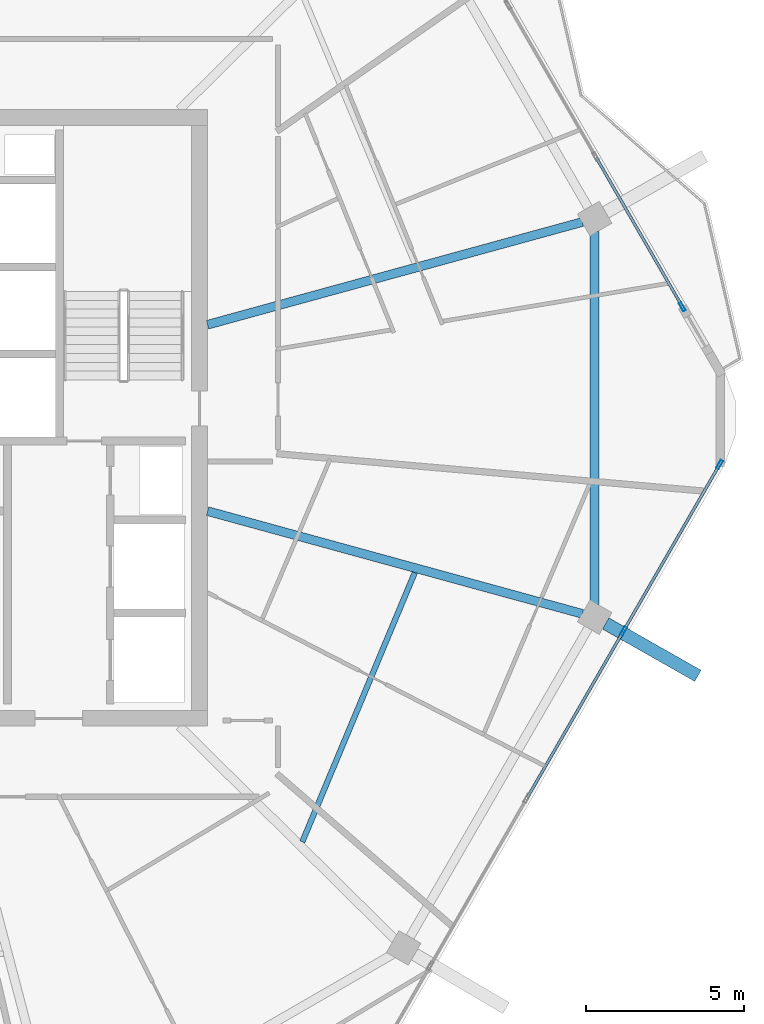
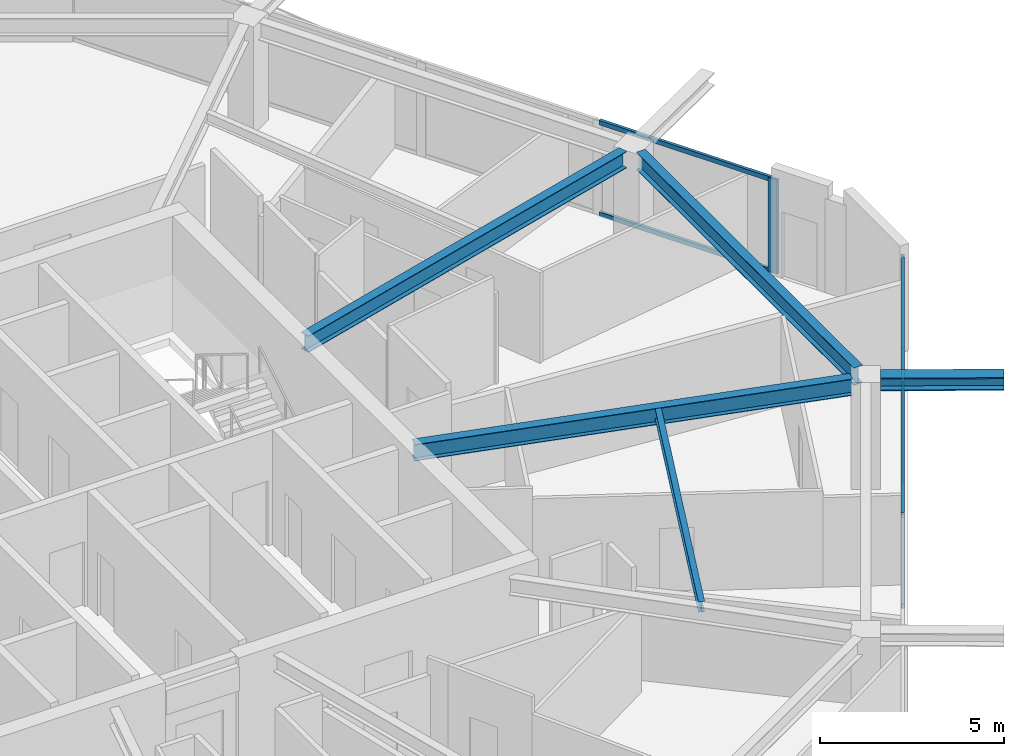
# One storey, part 6 of 21: 9 members, 5 beams, 2 elements without a shape of their own.
"""IFC4 building model written with IfcOpenShell, lengths in metres."""

import ifcopenshell
import ifcopenshell.guid

model = None  # the IFC model being written
_history = None  # IfcOwnerHistory: only IFC2X3 demands one
_inside = {}  # id of a spatial element -> (the spatial element, [elements in it])
_under = {}  # id of a project, library or spatial element -> (it, [spatial elements below it])
_declared = {}  # id of a project -> (the project, [libraries it declares])
_typed = {}  # id of a type object -> (the type object, [elements of that type])
_made_of = {}  # id of a material, layer set ... -> (it, [elements and type objects made of it])


def new_model(schema):
    """Start an empty IFC model of exactly this schema.

    Asked for "IFC4X3", IfcOpenShell would pick the latest addendum, in which some entities
    have other attributes; the version numbers below select the first issue.
    IFC2X3 requires an IfcOwnerHistory on every rooted entity: one is made here for all.
    """
    global model, _history
    if schema == "IFC4X3":
        model = ifcopenshell.file(schema_version=(4, 3, 0, 0))
    else:
        model = ifcopenshell.file(schema=schema)
    _inside.clear()
    _under.clear()
    _declared.clear()
    _typed.clear()
    _made_of.clear()
    _history = None
    if model.schema == "IFC2X3":
        org = make("IfcOrganization", Name="unknown")
        user = make(
            "IfcPersonAndOrganization",
            ThePerson=make("IfcPerson", FamilyName="unknown"),
            TheOrganization=org,
        )
        app = make(
            "IfcApplication",
            ApplicationDeveloper=org,
            Version="unknown",
            ApplicationFullName="unknown",
            ApplicationIdentifier="unknown",
        )
        _history = make(
            "IfcOwnerHistory",
            OwningUser=user,
            OwningApplication=app,
            ChangeAction="ADDED",
            CreationDate=0,
        )
    return model


def make(cls, **values):
    """One entity of the class cls with the attributes given. An attribute that is None is left unset."""
    return model.create_entity(
        cls, **{name: value for name, value in values.items() if value is not None}
    )


def rooted(cls, **values):
    """An entity with a GlobalId (a new one), such as an element, a storey or a relation."""
    return make(cls, GlobalId=ifcopenshell.guid.new(), OwnerHistory=_history, **values)


def si_unit(unit_type, name, prefix=None):
    """IfcSIUnit, for example si_unit("LENGTHUNIT", "METRE", prefix="MILLI")."""
    return make("IfcSIUnit", UnitType=unit_type, Prefix=prefix, Name=name)


def assignment(units):
    """IfcUnitAssignment: the units of a project."""
    return None if units is None else make("IfcUnitAssignment", Units=units)


def point(xyz):
    """IfcCartesianPoint."""
    return None if xyz is None else make("IfcCartesianPoint", Coordinates=xyz)


def direction(xyz):
    """IfcDirection."""
    return None if xyz is None else make("IfcDirection", DirectionRatios=xyz)


def frame(location, z_axis=None, x_axis=None):
    """IfcAxis2Placement3D, a coordinate frame: its origin and axes. An axis left out is left unset."""
    return make(
        "IfcAxis2Placement3D",
        Location=point(location),
        Axis=direction(z_axis),
        RefDirection=direction(x_axis),
    )


def frame_2d(location, x_axis=None):
    """IfcAxis2Placement2D, a coordinate frame in the plane: its origin and x axis."""
    return make(
        "IfcAxis2Placement2D", Location=point(location), RefDirection=direction(x_axis)
    )


def origin():
    """The frame at (0, 0, 0) with its axes left unset."""
    return frame((0.0, 0.0, 0.0))


def origin_2d():
    """The frame at (0, 0) in the plane with its x axis left unset."""
    return frame_2d((0.0, 0.0))


def place(relative_to, where):
    """IfcLocalPlacement: puts the frame where relative to a parent placement (None: the world)."""
    return make(
        "IfcLocalPlacement", PlacementRelTo=relative_to, RelativePlacement=where
    )


def context(
    kind, dimensions, precision=None, world=None, true_north=None, identifier=None
):
    """IfcGeometricRepresentationContext, for example the 3D "Model" context."""
    return make(
        "IfcGeometricRepresentationContext",
        ContextIdentifier=identifier,
        ContextType=kind,
        CoordinateSpaceDimension=dimensions,
        Precision=precision,
        WorldCoordinateSystem=world,
        TrueNorth=true_north,
    )


def subcontext(parent, identifier, kind, view, scale=None):
    """IfcGeometricRepresentationSubContext, for example "Body" below "Model"."""
    return make(
        "IfcGeometricRepresentationSubContext",
        ContextIdentifier=identifier,
        ContextType=kind,
        ParentContext=parent,
        TargetScale=scale,
        TargetView=view,
    )


def project(units=None, contexts=None):
    """IfcProject with its units and contexts."""
    return rooted(
        "IfcProject",
        Name="project",
        RepresentationContexts=contexts,
        UnitsInContext=assignment(units),
    )


def spatial(cls, under=None, at=None, **own):
    """A site, building, storey or space (cls), placed at a placement, below another one or the project."""
    s = rooted(cls, ObjectPlacement=at, **own)
    if under is not None:
        _under.setdefault(under.id(), (under, []))[1].append(s)
    return s


def profile(cls, at=None, kind="AREA", **sizes):
    """A parametric profile (cls). Its sizes go by their IFC names, for example OverallWidth=200.0."""
    return make(cls, ProfileType=kind, Position=at, **sizes)


def hollow_rectangle(**sizes):
    """IfcRectangleHollowProfileDef."""
    return profile("IfcRectangleHollowProfileDef", **sizes)


def i_section(**sizes):
    """IfcIShapeProfileDef."""
    return profile("IfcIShapeProfileDef", **sizes)


def extrude(swept, where, along, depth):
    """IfcExtrudedAreaSolid: the profile swept, set in the frame where, extruded along a direction by depth."""
    return make(
        "IfcExtrudedAreaSolid",
        SweptArea=swept,
        Position=where,
        ExtrudedDirection=direction(along),
        Depth=depth,
    )


def shape(context_of_items, identifier, shape_type, items):
    """IfcShapeRepresentation: the items that make up one representation, for example the "Body"."""
    return make(
        "IfcShapeRepresentation",
        ContextOfItems=context_of_items,
        RepresentationIdentifier=identifier,
        RepresentationType=shape_type,
        Items=items,
    )


def material(Name=None, Category=None):
    """IfcMaterial."""
    return make("IfcMaterial", Name=Name, Category=Category)


def material_profile(
    of_material, cross_section, Name=None, Category=None, Priority=None
):
    """IfcMaterialProfile: a cross section and its material."""
    return make(
        "IfcMaterialProfile",
        Name=Name,
        Material=of_material,
        Profile=cross_section,
        Priority=Priority,
        Category=Category,
    )


def profile_set(profiles, Name=None, composite=None):
    """IfcMaterialProfileSet."""
    return make(
        "IfcMaterialProfileSet",
        Name=Name,
        MaterialProfiles=profiles,
        CompositeProfile=composite,
    )


def made_of(thing, what):
    """Note that an element or type object is made of a material, layer set ...; save() writes the relation."""
    if what is not None:
        _made_of.setdefault(what.id(), (what, []))[1].append(thing)
    return thing


def type_object(cls, material=None, **own):
    """A type object (cls), such as IfcWallType, which elements share."""
    return made_of(rooted(cls, **own), material)


def element(
    cls,
    number,
    at=None,
    inside=None,
    cuts=None,
    type_object=None,
    material=None,
    context=None,
    identifier="Body",
    shape_type=None,
    held_by="IfcProductDefinitionShape",
    body=None,
    shapes=None,
    **own,
):
    """One element of the class cls, such as IfcWall. Its Tag is "e" and its number.

    at: its placement. inside: the storey or other place that contains it. cuts: it is an
    opening in that element (IfcRelVoidsElement). A single representation is given by context,
    identifier, shape_type and body (its items); several are given by shapes. held_by: the class
    of the entity that holds the representations. save() writes the other relations.
    """
    e = rooted(cls, Tag="e%d" % number, ObjectPlacement=at, **own)
    if body is not None:
        shapes = [shape(context, identifier, shape_type, body)]
    if shapes is not None:
        e.Representation = make(held_by, Representations=shapes)
    if inside is not None:
        _inside.setdefault(inside.id(), (inside, []))[1].append(e)
    if cuts is not None:
        rooted(
            "IfcRelVoidsElement", RelatingBuildingElement=cuts, RelatedOpeningElement=e
        )
    if type_object is not None:
        _typed.setdefault(type_object.id(), (type_object, []))[1].append(e)
    return made_of(e, material)


def aggregate(whole, parts):
    """IfcRelAggregates: a whole, such as a stair, and the parts it consists of."""
    return rooted("IfcRelAggregates", RelatingObject=whole, RelatedObjects=parts)


def save(model, path):
    """Write the relations noted so far, then the file.

    IfcRelAggregates (storeys below a building ...), IfcRelContainedInSpatialStructure (elements
    in a storey), IfcRelDefinesByType, IfcRelAssociatesMaterial and IfcRelDeclares: one each for
    every whole, place, type object, material and project.
    """
    for whole, parts in _under.values():
        aggregate(whole, parts)
    for where, things in _inside.values():
        rooted(
            "IfcRelContainedInSpatialStructure",
            RelatedElements=things,
            RelatingStructure=where,
        )
    for kind, things in _typed.values():
        rooted("IfcRelDefinesByType", RelatedObjects=things, RelatingType=kind)
    for what, things in _made_of.values():
        rooted("IfcRelAssociatesMaterial", RelatedObjects=things, RelatingMaterial=what)
    for by, libraries in _declared.values():
        rooted("IfcRelDeclares", RelatingContext=by, RelatedDefinitions=libraries)
    model.write(path)


model = new_model("IFC4")

# Units and contexts
model_context = context("Model", 3, precision=1e-05, world=origin(), true_north=direction((0.0, 1.0)))
body_context = subcontext(model_context, "Body", "Model", "MODEL_VIEW")
ifc_project = project(units=[si_unit("LENGTHUNIT", "METRE"), si_unit("AREAUNIT", "SQUARE_METRE"), si_unit("VOLUMEUNIT", "CUBIC_METRE"), si_unit("PLANEANGLEUNIT", "RADIAN"), si_unit("MASSUNIT", "GRAM", prefix="KILO")], contexts=[model_context])

# Site, building, storey
site_placement = place(None, origin())
site = spatial("IfcSite", under=ifc_project, at=site_placement, CompositionType="ELEMENT")
building_placement = place(site_placement, origin())
building = spatial("IfcBuilding", under=site, at=building_placement, Name="Zuhravey Tower", CompositionType="ELEMENT")
storey_placement = place(building_placement, frame((0.0, 0.0, 319.60009765625)))
storey = spatial("IfcBuildingStorey", under=building, at=storey_placement, Name="L81", CompositionType="ELEMENT", Elevation=319.60009765625)

# Curtain wall, members
ifc_material_1 = material(Name="Thermally broken anodised aluminium", Category="aluminium")
curtain_wall_type = type_object("IfcCurtainWallType", Name="Zone 3-4 High-Rise Curtain Wall CW4", PredefinedType="NOTDEFINED", material=ifc_material_1)
curtain_wall_1_placement = place(storey_placement, origin())
curtain_wall_1 = element("IfcCurtainWall", 1, at=curtain_wall_1_placement, inside=storey, type_object=curtain_wall_type, Name="L81 CW4 CW-L81-F6-1", PredefinedType="NOTDEFINED")
ifc_material_2 = material(Name="Anodised aluminium", Category="aluminium")
ifc_material_profile_1 = material_profile(ifc_material_2, hollow_rectangle(XDim=0.090087890625, YDim=0.284912109375, WallThickness=0.0048828125, at=origin_2d()), Name="ALU-RHS-90x285x5")
ifc_profile_set_1 = profile_set([ifc_material_profile_1], Name="Anodised aluminium")
member_type_1 = type_object("IfcMemberType", Name="Curtain-Wall Mullion 90x180", PredefinedType="MULLION", material=ifc_profile_set_1)
member_1_placement = place(storey_placement, frame((62.94580078125, 30.5234375, 0.0), z_axis=(0.0, 0.0, 1.0), x_axis=(0.866025511541, -0.49999981336, 0.0)))
member_1 = element("IfcMember", 2, at=member_1_placement, type_object=member_type_1, Name="CW4 mullion 1", PredefinedType="MULLION", context=body_context, shape_type="SweptSolid", body=[
    extrude(hollow_rectangle(XDim=0.090087890625, YDim=0.284912109375, WallThickness=0.0048828125, at=origin_2d()), origin(), (0.0, 0.0, 1.0), 3.121826171875),
])
member_2_placement = place(storey_placement, frame((59.90869140625, 25.2626953125, 0.0), z_axis=(0.0, 0.0, 1.0), x_axis=(0.866025511541, -0.49999981336, 0.0)))
member_2 = element("IfcMember", 3, at=member_2_placement, type_object=member_type_1, Name="CW4 mullion 2", PredefinedType="MULLION", context=body_context, shape_type="SweptSolid", body=[
    extrude(hollow_rectangle(XDim=0.090087890625, YDim=0.284912109375, WallThickness=0.0048828125, at=origin_2d()), origin(), (0.0, 0.0, 1.0), 3.121826171875),
])

# Curtain wall, member
curtain_wall_2_placement = place(storey_placement, origin())
curtain_wall_2 = element("IfcCurtainWall", 4, at=curtain_wall_2_placement, inside=storey, type_object=curtain_wall_type, Name="L81 CW4 CW-L81-F1-1", PredefinedType="NOTDEFINED")
member_3_placement = place(storey_placement, frame((61.77099609375, 35.51171875, 0.0), z_axis=(0.0, 0.0, 1.0), x_axis=(0.866025067677, 0.500000582154, 0.0)))
member_3 = element("IfcMember", 5, at=member_3_placement, type_object=member_type_1, Name="CW4 mullion 5", PredefinedType="MULLION", context=body_context, shape_type="SweptSolid", body=[
    extrude(hollow_rectangle(XDim=0.090087890625, YDim=0.284912109375, WallThickness=0.0048828125, at=origin_2d()), origin(), (0.0, 0.0, 1.0), 3.121826171875),
])

# Member
ifc_material_profile_2 = material_profile(ifc_material_2, hollow_rectangle(XDim=0.090087890625, YDim=0.14990234375, WallThickness=0.0048828125, at=origin_2d()), Name="ALU-RHS-90x150x5")
ifc_profile_set_2 = profile_set([ifc_material_profile_2], Name="Anodised aluminium")
member_type_2 = type_object("IfcMemberType", Name="Curtain-Wall Transom 90x150", PredefinedType="USERDEFINED", material=ifc_profile_set_2)
member_4_placement = place(storey_placement, frame((62.92333984375, 30.484619140625, 0.044921875), z_axis=(-0.499982594807, -0.866035452444, 0.0), x_axis=(0.866035452444, -0.499982594807, 0.0)))
member_4 = element("IfcMember", 6, at=member_4_placement, type_object=member_type_2, Name="CW4 transom 1.1", ObjectType="TRANSOM", PredefinedType="USERDEFINED", context=body_context, shape_type="SweptSolid", body=[
    extrude(hollow_rectangle(XDim=0.090087890625, YDim=0.14990234375, WallThickness=0.0048828125, at=origin_2d()), origin(), (0.0, 0.0, 1.0), 5.984619140625),
])

member_5_placement = place(storey_placement, frame((62.92333984375, 30.484619140625, 3.076904296875), z_axis=(-0.499982594807, -0.866035452444, 0.0), x_axis=(0.866035452444, -0.499982594807, 0.0)))
member_5 = element("IfcMember", 7, at=member_5_placement, type_object=member_type_2, Name="CW4 transom 1.2", ObjectType="TRANSOM", PredefinedType="USERDEFINED", context=body_context, shape_type="SweptSolid", body=[
    extrude(hollow_rectangle(XDim=0.090087890625, YDim=0.14990234375, WallThickness=0.0048828125, at=origin_2d()), origin(), (0.0, 0.0, 1.0), 5.984619140625),
])

member_6_placement = place(storey_placement, frame((59.885986328125, 25.2236328125, 0.044921875), z_axis=(-0.499988837749, -0.866031848217, 0.0), x_axis=(0.866031848217, -0.499988837749, 0.0)))
member_6 = element("IfcMember", 8, at=member_6_placement, type_object=member_type_2, Name="CW4 transom 2.1", ObjectType="TRANSOM", PredefinedType="USERDEFINED", context=body_context, shape_type="SweptSolid", body=[
    extrude(hollow_rectangle(XDim=0.090087890625, YDim=0.14990234375, WallThickness=0.0048828125, at=origin_2d()), origin(), (0.0, 0.0, 1.0), 6.029541015625),
])

member_7_placement = place(storey_placement, frame((59.885986328125, 25.2236328125, 3.076904296875), z_axis=(-0.499988837749, -0.866031848217, 0.0), x_axis=(0.866031848217, -0.499988837749, 0.0)))
member_7 = element("IfcMember", 9, at=member_7_placement, type_object=member_type_2, Name="CW4 transom 2.2", ObjectType="TRANSOM", PredefinedType="USERDEFINED", context=body_context, shape_type="SweptSolid", body=[
    extrude(hollow_rectangle(XDim=0.090087890625, YDim=0.14990234375, WallThickness=0.0048828125, at=origin_2d()), origin(), (0.0, 0.0, 1.0), 6.029541015625),
])

aggregate(curtain_wall_1, [member_1, member_2, member_4, member_5, member_6, member_7])

member_8_placement = place(storey_placement, frame((59.0498046875, 40.224609375, 0.044921875), z_axis=(0.499987416453, -0.866032668777, 0.0), x_axis=(0.866032668777, 0.499987416453, 0.0)))
member_8 = element("IfcMember", 10, at=member_8_placement, type_object=member_type_2, Name="CW4 transom 4.1", ObjectType="TRANSOM", PredefinedType="USERDEFINED", context=body_context, shape_type="SweptSolid", body=[
    extrude(hollow_rectangle(XDim=0.090087890625, YDim=0.14990234375, WallThickness=0.0048828125, at=origin_2d()), origin(), (0.0, 0.0, 1.0), 5.397216796875),
])

member_9_placement = place(storey_placement, frame((59.0498046875, 40.224609375, 3.076904296875), z_axis=(0.499987416453, -0.866032668777, 0.0), x_axis=(0.866032668777, 0.499987416453, 0.0)))
member_9 = element("IfcMember", 11, at=member_9_placement, type_object=member_type_2, Name="CW4 transom 4.2", ObjectType="TRANSOM", PredefinedType="USERDEFINED", context=body_context, shape_type="SweptSolid", body=[
    extrude(hollow_rectangle(XDim=0.090087890625, YDim=0.14990234375, WallThickness=0.0048828125, at=origin_2d()), origin(), (0.0, 0.0, 1.0), 5.397216796875),
])

aggregate(curtain_wall_2, [member_3, member_8, member_9])

# Beams
ifc_material_3 = material(Name="Steel SM460", Category="steel")
ifc_material_profile_3 = material_profile(ifc_material_3, i_section(OverallWidth=0.406982421875, OverallDepth=0.427978515625, WebThickness=0.02001953125, FlangeThickness=0.034912109375, at=origin_2d()), Name="H-428x407x20x35")
ifc_profile_set_3 = profile_set([ifc_material_profile_3], Name="Steel SM460")
beam_type_1 = type_object("IfcBeamType", Name="Exoskeleton Node Tie Beam H428x407", PredefinedType="BEAM", material=ifc_profile_set_3)
beam_1_placement = place(storey_placement, frame((59.3447265625, 25.498291015625, 3.3359375), z_axis=(0.869816903005, -0.493374660118, 0.0), x_axis=(0.493374660118, 0.869816903005, 0.0)))
element("IfcBeam", 12, at=beam_1_placement, inside=storey, type_object=beam_type_1, Name="L81 Exoskeleton Node Tie NT1-12", PredefinedType="BEAM", context=body_context, shape_type="SweptSolid", body=[
    extrude(i_section(OverallWidth=0.406982421875, OverallDepth=0.427978515625, WebThickness=0.02001953125, FlangeThickness=0.034912109375, at=origin_2d()), origin(), (0.0, 0.0, 1.0), 3.35107421875),
])
ifc_material_4 = material(Name="Steel SM355", Category="steel")
ifc_material_profile_4 = material_profile(ifc_material_4, i_section(OverallWidth=0.280029296875, OverallDepth=0.580078125, WebThickness=0.011962890625, FlangeThickness=0.01904296875, at=origin_2d()), Name="H-580x280x12x19")
ifc_profile_set_4 = profile_set([ifc_material_profile_4], Name="Steel SM355")
beam_type_2 = type_object("IfcBeamType", Name="Perimeter Ring Beam H580x280", PredefinedType="BEAM", material=ifc_profile_set_4)
beam_2_placement = place(storey_placement, frame((58.993408203125, 26.1005859375, 3.260009765625), z_axis=(0.0, 1.0, 0.0), x_axis=(-1.0, 0.0, 0.0)))
element("IfcBeam", 13, at=beam_2_placement, inside=storey, type_object=beam_type_2, Name="L81 PB4 BM-L81-PB-12", PredefinedType="BEAM", context=body_context, shape_type="SweptSolid", body=[
    extrude(i_section(OverallWidth=0.280029296875, OverallDepth=0.580078125, WebThickness=0.011962890625, FlangeThickness=0.01904296875, at=origin_2d()), origin(), (0.0, 0.0, 1.0), 11.798828125),
])
ifc_material_profile_5 = material_profile(ifc_material_4, i_section(OverallWidth=0.280029296875, OverallDepth=0.550048828125, WebThickness=0.010986328125, FlangeThickness=0.01806640625, at=origin_2d()), Name="H-550x280x11x18")
ifc_profile_set_5 = profile_set([ifc_material_profile_5], Name="Steel SM355")
beam_type_3 = type_object("IfcBeamType", Name="Radial Primary Girder H550x280", PredefinedType="BEAM", material=ifc_profile_set_5)
for number, where, z_axis, x_axis, name in (
    (14, (46.7529296875, 34.947265625, 3.27490234375), (0.964427903067, 0.264346022829, 0.0), (-0.264346022829, 0.964427903067, 0.0), "L81 RG4 BM-L81-RAD-01"),
    (15, (46.7529296875, 29.052734375, 3.27490234375), (0.964427903067, -0.264346022829, 0.0), (0.264346022829, 0.964427903067, 0.0), "L81 RG4 BM-L81-RAD-12"),
):
    element("IfcBeam", number, at=place(storey_placement, frame(where, z_axis=z_axis, x_axis=x_axis)), inside=storey, type_object=beam_type_3, Name=name, PredefinedType="BEAM", context=body_context, shape_type="SweptSolid", body=[
        extrude(i_section(OverallWidth=0.280029296875, OverallDepth=0.550048828125, WebThickness=0.010986328125, FlangeThickness=0.01806640625, at=origin_2d()), origin(), (0.0, 0.0, 1.0), 12.2890625),
    ])
ifc_material_profile_6 = material_profile(ifc_material_4, i_section(OverallWidth=0.175048828125, OverallDepth=0.35009765625, WebThickness=0.007080078125, FlangeThickness=0.010986328125, at=origin_2d()), Name="H-350x175x7x11")
ifc_profile_set_6 = profile_set([ifc_material_profile_6], Name="Steel SM355")
beam_type_4 = type_object("IfcBeamType", Name="Secondary Floor Joist H350x175", PredefinedType="JOIST", material=ifc_profile_set_6)
beam_3_placement = place(storey_placement, frame((49.7490234375, 18.59521484375, 3.375), z_axis=(0.385657891576, 0.922641853953, 0.0), x_axis=(-0.922641853953, 0.385657891576, 0.0)))
element("IfcBeam", 16, at=beam_3_placement, inside=storey, type_object=beam_type_4, Name="L81 SJ3 BM-L81-SJ-11-1", PredefinedType="JOIST", context=body_context, shape_type="SweptSolid", body=[
    extrude(i_section(OverallWidth=0.175048828125, OverallDepth=0.35009765625, WebThickness=0.007080078125, FlangeThickness=0.010986328125, at=origin_2d()), origin(), (0.0, 0.0, 1.0), 9.226806640625),
])

save(model, "model.ifc")
